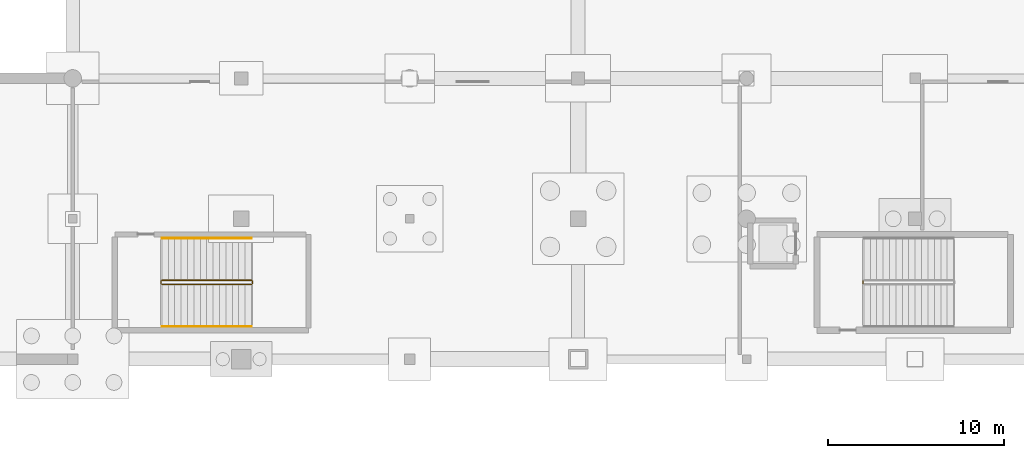
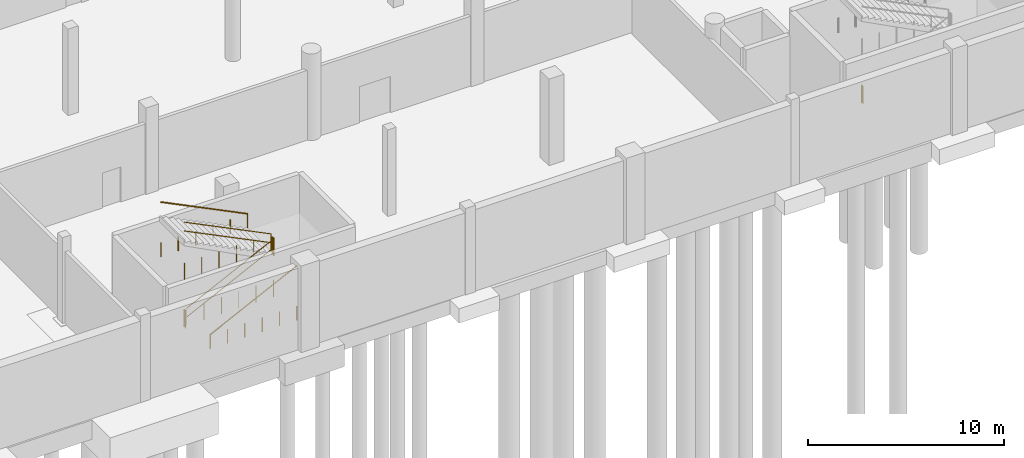
# One storey, part 39 of 44: 7 railings.
"""IFC4 building model written with IfcOpenShell, lengths in metres."""

from ifc_helpers import new_model, si_unit, direction, frame, origin, origin_2d, place, context, subcontext, project, spatial, circle, extrude, material, type_object, element, save


model = new_model("IFC4")

# Units and contexts
model_context = context("Model", 3, precision=1e-05, world=origin(), true_north=direction((0.0, 1.0)))
body_context = subcontext(model_context, "Body", "Model", "MODEL_VIEW")
ifc_project = project(units=[si_unit("LENGTHUNIT", "METRE"), si_unit("AREAUNIT", "SQUARE_METRE"), si_unit("VOLUMEUNIT", "CUBIC_METRE"), si_unit("PLANEANGLEUNIT", "RADIAN"), si_unit("MASSUNIT", "GRAM", prefix="KILO")], contexts=[model_context])

# Site, building, storey
site_placement = place(None, origin())
site = spatial("IfcSite", under=ifc_project, at=site_placement, CompositionType="ELEMENT")
building_placement = place(site_placement, origin())
building = spatial("IfcBuilding", under=site, at=building_placement, Name="Danafjord Basin Convention Centre", CompositionType="ELEMENT")
storey_placement = place(building_placement, frame((0.0, 0.0, -5.39990234375)))
storey = spatial("IfcBuildingStorey", under=building, at=storey_placement, Name="B1", CompositionType="ELEMENT", Elevation=-5.39990234375)

# Railings
ifc_material_1 = material(Name="Galvanised steel S355", Category="steel")
railing_type_1 = type_object("IfcRailingType", Name="RL-GD-WELL", PredefinedType="BALUSTRADE", material=ifc_material_1)
railing_1_placement = place(storey_placement, frame((189.030029296875, 12.31005859375, 0.0)))
element("IfcRailing", 1, at=railing_1_placement, inside=storey, type_object=railing_type_1, Name="B1 ST-15 stair guard 4", PredefinedType="BALUSTRADE", context=body_context, shape_type="SweptSolid", body=[
    extrude(circle(Radius=0.02392578125, at=origin_2d()), frame((0.0, 0.0, 1.076171875), z_axis=(0.0, 1.0, 0.0), x_axis=(-1.0, 0.0, 0.0)), (0.0, 0.0, 1.0), 0.139892578125),
    extrude(circle(Radius=0.02392578125, at=origin_2d()), frame((0.0, 0.0, 0.52587890625), z_axis=(0.0, 1.0, 0.0), x_axis=(-1.0, 0.0, 0.0)), (0.0, 0.0, 1.0), 0.139892578125),
    extrude(circle(Radius=0.02099609375, at=origin_2d()), origin(), (0.0, 0.0, 1.0), 1.050048828125),
    extrude(circle(Radius=0.02099609375, at=origin_2d()), frame((0.0, 0.139892578125, 0.0)), (0.0, 0.0, 1.0), 1.050048828125),
])
railing_2_placement = place(storey_placement, frame((149.080078125, 12.260009765625, 0.179931640625)))
element("IfcRailing", 2, at=railing_2_placement, inside=storey, type_object=railing_type_1, Name="B1 ST-16 stair guard 1", PredefinedType="BALUSTRADE", context=body_context, shape_type="SweptSolid", body=[
    extrude(circle(Radius=0.02392578125, at=origin_2d()), frame((0.0, 0.0, 1.076171875), z_axis=(0.89686481642, 0.0, 0.442304760396), x_axis=(0.0, 1.0, 0.0)), (0.0, 0.0, 1.0), 5.697509765625),
    extrude(circle(Radius=0.02392578125, at=origin_2d()), frame((0.0, 0.0, 0.52587890625), z_axis=(0.89686481642, 0.0, 0.442304760396), x_axis=(0.0, 1.0, 0.0)), (0.0, 0.0, 1.0), 5.697509765625),
    extrude(circle(Radius=0.02099609375, at=origin_2d()), origin(), (0.0, 0.0, 1.0), 1.050048828125),
    extrude(circle(Radius=0.02099609375, at=origin_2d()), frame((1.02197265625, 0.0, 0.0)), (0.0, 0.0, 1.0), 1.050048828125),
    extrude(circle(Radius=0.02099609375, at=origin_2d()), frame((2.0439453125, 0.0, 0.0)), (0.0, 0.0, 1.0), 1.050048828125),
    extrude(circle(Radius=0.02099609375, at=origin_2d()), frame((3.06591796875, 0.0, 0.0)), (0.0, 0.0, 1.0), 1.050048828125),
    extrude(circle(Radius=0.02099609375, at=origin_2d()), frame((4.087890625, 0.0, 0.0)), (0.0, 0.0, 1.0), 1.050048828125),
    extrude(circle(Radius=0.02099609375, at=origin_2d()), frame((5.10986328125, 0.0, 0.0)), (0.0, 0.0, 1.0), 1.050048828125),
])
railing_3_placement = place(storey_placement, frame((154.239990234375, 12.31005859375, 2.699951171875)))
element("IfcRailing", 3, at=railing_3_placement, inside=storey, type_object=railing_type_1, Name="B1 ST-16 stair guard 2", PredefinedType="BALUSTRADE", context=body_context, shape_type="SweptSolid", body=[
    extrude(circle(Radius=0.02392578125, at=origin_2d()), frame((0.0, 0.0, 1.076171875), z_axis=(0.0, 1.0, 0.0), x_axis=(-1.0, 0.0, 0.0)), (0.0, 0.0, 1.0), 0.139892578125),
    extrude(circle(Radius=0.02392578125, at=origin_2d()), frame((0.0, 0.0, 0.52587890625), z_axis=(0.0, 1.0, 0.0), x_axis=(-1.0, 0.0, 0.0)), (0.0, 0.0, 1.0), 0.139892578125),
    extrude(circle(Radius=0.02099609375, at=origin_2d()), origin(), (0.0, 0.0, 1.0), 1.050048828125),
    extrude(circle(Radius=0.02099609375, at=origin_2d()), frame((0.0, 0.139892578125, 0.0)), (0.0, 0.0, 1.0), 1.050048828125),
])
railing_4_placement = place(storey_placement, frame((154.18994140625, 12.5, 2.8798828125)))
element("IfcRailing", 4, at=railing_4_placement, inside=storey, type_object=railing_type_1, Name="B1 ST-16 stair guard 3", PredefinedType="BALUSTRADE", context=body_context, shape_type="SweptSolid", body=[
    extrude(circle(Radius=0.02392578125, at=origin_2d()), frame((0.0, 0.0, 1.076171875), z_axis=(-0.89686481642, 0.0, 0.442304760396), x_axis=(0.0, -1.0, 0.0)), (0.0, 0.0, 1.0), 5.697509765625),
    extrude(circle(Radius=0.02392578125, at=origin_2d()), frame((0.0, 0.0, 0.52587890625), z_axis=(-0.89686481642, 0.0, 0.442304760396), x_axis=(0.0, -1.0, 0.0)), (0.0, 0.0, 1.0), 5.697509765625),
    extrude(circle(Radius=0.02099609375, at=origin_2d()), origin(), (0.0, 0.0, 1.0), 1.050048828125),
    extrude(circle(Radius=0.02099609375, at=origin_2d()), frame((-1.02197265625, 0.0, 0.0)), (0.0, 0.0, 1.0), 1.050048828125),
    extrude(circle(Radius=0.02099609375, at=origin_2d()), frame((-2.0439453125, 0.0, 0.0)), (0.0, 0.0, 1.0), 1.050048828125),
    extrude(circle(Radius=0.02099609375, at=origin_2d()), frame((-3.06591796875, 0.0, 0.0)), (0.0, 0.0, 1.0), 1.050048828125),
    extrude(circle(Radius=0.02099609375, at=origin_2d()), frame((-4.087890625, 0.0, 0.0)), (0.0, 0.0, 1.0), 1.050048828125),
    extrude(circle(Radius=0.02099609375, at=origin_2d()), frame((-5.10986328125, 0.0, 0.0)), (0.0, 0.0, 1.0), 1.050048828125),
])
railing_5_placement = place(storey_placement, frame((149.030029296875, 12.31005859375, 0.0)))
element("IfcRailing", 5, at=railing_5_placement, inside=storey, type_object=railing_type_1, Name="B1 ST-16 stair guard 4", PredefinedType="BALUSTRADE", context=body_context, shape_type="SweptSolid", body=[
    extrude(circle(Radius=0.02392578125, at=origin_2d()), frame((0.0, 0.0, 1.076171875), z_axis=(0.0, 1.0, 0.0), x_axis=(-1.0, 0.0, 0.0)), (0.0, 0.0, 1.0), 0.139892578125),
    extrude(circle(Radius=0.02392578125, at=origin_2d()), frame((0.0, 0.0, 0.52587890625), z_axis=(0.0, 1.0, 0.0), x_axis=(-1.0, 0.0, 0.0)), (0.0, 0.0, 1.0), 0.139892578125),
    extrude(circle(Radius=0.02099609375, at=origin_2d()), origin(), (0.0, 0.0, 1.0), 1.050048828125),
    extrude(circle(Radius=0.02099609375, at=origin_2d()), frame((0.0, 0.139892578125, 0.0)), (0.0, 0.0, 1.0), 1.050048828125),
])
ifc_material_2 = material(Name="Brushed stainless steel EN 1.4404", Category="steel")
railing_type_2 = type_object("IfcRailingType", Name="RL-HR-STAIR", PredefinedType="HANDRAIL", material=ifc_material_2)
railing_6_placement = place(storey_placement, frame((149.080078125, 9.860107421875, 0.179931640625)))
element("IfcRailing", 6, at=railing_6_placement, inside=storey, type_object=railing_type_2, Name="B1 ST-16 stair handrail 1", PredefinedType="HANDRAIL", context=body_context, shape_type="SweptSolid", body=[
    extrude(circle(Radius=0.02392578125, at=origin_2d()), frame((0.0, 0.0, 0.8759765625), z_axis=(0.89686481642, 0.0, 0.442304760396), x_axis=(0.0, 1.0, 0.0)), (0.0, 0.0, 1.0), 5.697509765625),
    extrude(circle(Radius=0.02099609375, at=origin_2d()), origin(), (0.0, 0.0, 1.0), 0.849853515625),
    extrude(circle(Radius=0.02099609375, at=origin_2d()), frame((1.02197265625, 0.0, 0.0)), (0.0, 0.0, 1.0), 0.849853515625),
    extrude(circle(Radius=0.02099609375, at=origin_2d()), frame((2.0439453125, 0.0, 0.0)), (0.0, 0.0, 1.0), 0.849853515625),
    extrude(circle(Radius=0.02099609375, at=origin_2d()), frame((3.06591796875, 0.0, 0.0)), (0.0, 0.0, 1.0), 0.849853515625),
    extrude(circle(Radius=0.02099609375, at=origin_2d()), frame((4.087890625, 0.0, 0.0)), (0.0, 0.0, 1.0), 0.849853515625),
    extrude(circle(Radius=0.02099609375, at=origin_2d()), frame((5.10986328125, 0.0, 0.0)), (0.0, 0.0, 1.0), 0.849853515625),
])
railing_7_placement = place(storey_placement, frame((154.18994140625, 14.89990234375, 2.8798828125)))
element("IfcRailing", 7, at=railing_7_placement, inside=storey, type_object=railing_type_2, Name="B1 ST-16 stair handrail 2", PredefinedType="HANDRAIL", context=body_context, shape_type="SweptSolid", body=[
    extrude(circle(Radius=0.02392578125, at=origin_2d()), frame((0.0, 0.0, 0.8759765625), z_axis=(-0.89686481642, 0.0, 0.442304760396), x_axis=(0.0, -1.0, 0.0)), (0.0, 0.0, 1.0), 5.697509765625),
    extrude(circle(Radius=0.02099609375, at=origin_2d()), origin(), (0.0, 0.0, 1.0), 0.849853515625),
    extrude(circle(Radius=0.02099609375, at=origin_2d()), frame((-1.02197265625, 0.0, 0.0)), (0.0, 0.0, 1.0), 0.849853515625),
    extrude(circle(Radius=0.02099609375, at=origin_2d()), frame((-2.0439453125, 0.0, 0.0)), (0.0, 0.0, 1.0), 0.849853515625),
    extrude(circle(Radius=0.02099609375, at=origin_2d()), frame((-3.06591796875, 0.0, 0.0)), (0.0, 0.0, 1.0), 0.849853515625),
    extrude(circle(Radius=0.02099609375, at=origin_2d()), frame((-4.087890625, 0.0, 0.0)), (0.0, 0.0, 1.0), 0.849853515625),
    extrude(circle(Radius=0.02099609375, at=origin_2d()), frame((-5.10986328125, 0.0, 0.0)), (0.0, 0.0, 1.0), 0.849853515625),
])

save(model, "model.ifc")
